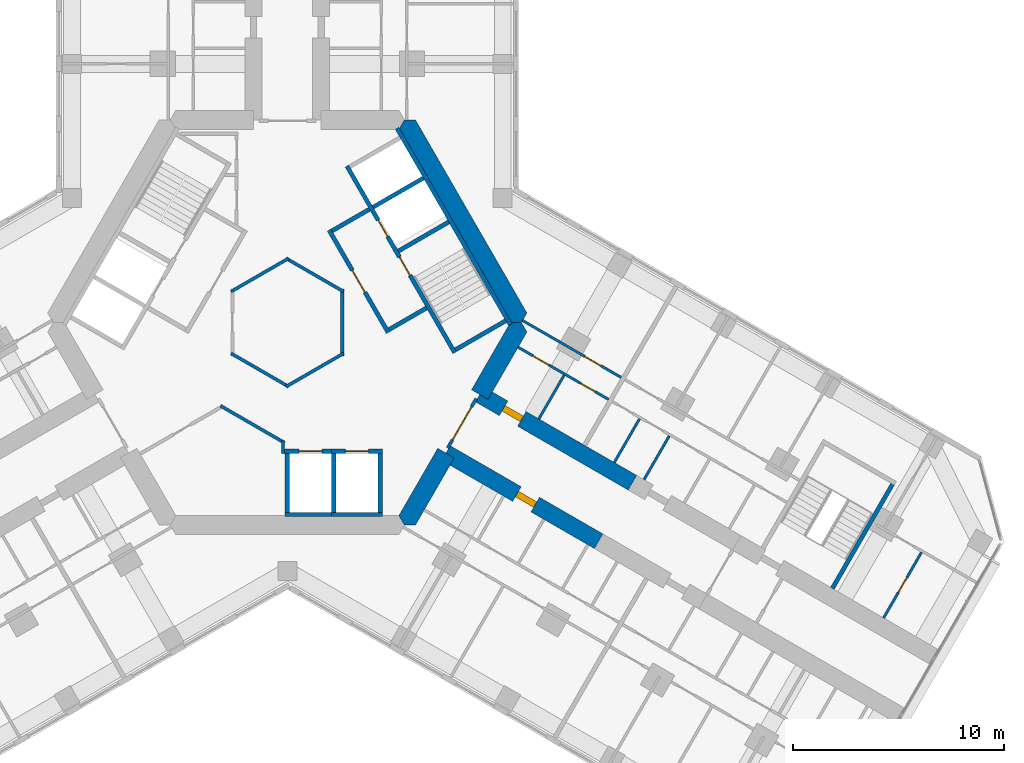
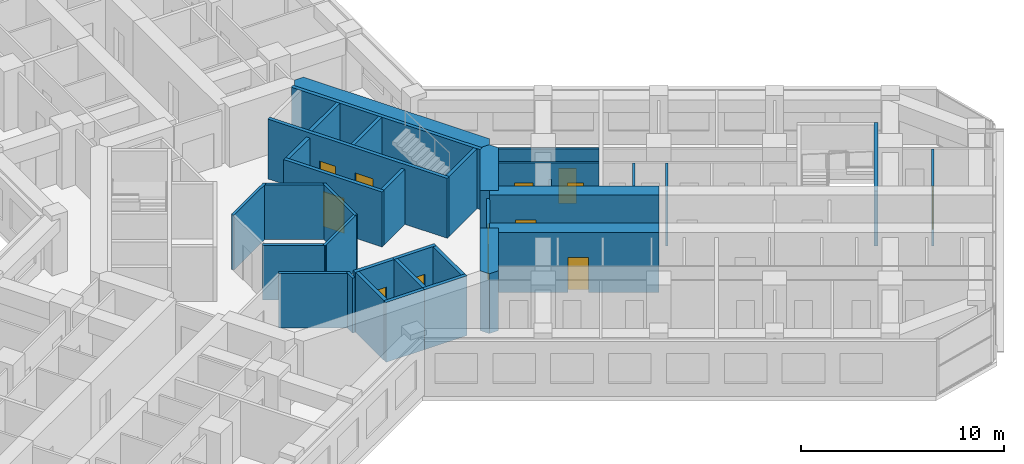
# One storey, part 15 of 20: 35 walls, 12 doors, 12 openings.
"""IFC4 building model written with IfcOpenShell, lengths in metres."""

from ifc_helpers import new_model, si_unit, direction, frame, frame_2d, origin, place, context, subcontext, project, spatial, polyline, rectangle, outline, extrude, material, layer, layer_set, type_object, element, fill, save


model = new_model("IFC4")

# Units and contexts
model_context = context("Model", 3, precision=1e-05, world=origin(), true_north=direction((0.0, 1.0)))
body_context = subcontext(model_context, "Body", "Model", "MODEL_VIEW")
ifc_project = project(units=[si_unit("LENGTHUNIT", "METRE"), si_unit("AREAUNIT", "SQUARE_METRE"), si_unit("VOLUMEUNIT", "CUBIC_METRE"), si_unit("PLANEANGLEUNIT", "RADIAN"), si_unit("MASSUNIT", "GRAM", prefix="KILO")], contexts=[model_context])

# Site, building, storey
site_placement = place(None, origin())
site = spatial("IfcSite", under=ifc_project, at=site_placement, CompositionType="ELEMENT")
building_placement = place(site_placement, origin())
building = spatial("IfcBuilding", under=site, at=building_placement, Name="Kosmar Iwan School Tower", CompositionType="ELEMENT")
storey_placement = place(building_placement, frame((0.0, 0.0, 183.199951171875)))
storey = spatial("IfcBuildingStorey", under=building, at=storey_placement, Name="L46", CompositionType="ELEMENT", Elevation=183.199951171875)

# Walls
ifc_material_1 = material(Name="Gypsum board on steel studs, fire-rated", Category="steel")
ifc_layer_1 = layer(ifc_material_1, 0.14990234375)
ifc_layer_set_1 = layer_set([ifc_layer_1], Name="Core room partition 150")
wall_type_1 = type_object("IfcWallType", Name="Core room partition 150", PredefinedType="PARTITIONING", material=ifc_layer_set_1)
wall_1_placement = place(storey_placement, frame((-3.1650390625, -3.9462890625, 0.0), z_axis=(0.0, 0.0, 1.0), x_axis=(0.866040335699, -0.499974136273, 0.0)))
element("IfcWall", 1, at=wall_1_placement, inside=storey, type_object=wall_type_1, Name="Core room partition L46-CW6", PredefinedType="PARTITIONING", context=body_context, shape_type="SweptSolid", body=[
    extrude(rectangle(XDim=3.498779296875, YDim=0.14990234375, at=frame_2d((1.74951171875, 0.0))), origin(), (0.0, 0.0, 1.0), 3.300048828125),
])
wall_2_placement = place(storey_placement, frame((-0.199951171875, -5.5830078125, 0.0), z_axis=(0.0, 0.0, 1.0), x_axis=(0.0, -1.0, 0.0)))
element("IfcWall", 2, at=wall_2_placement, inside=storey, type_object=wall_type_1, Name="Core room partition L46-CW7", PredefinedType="PARTITIONING", context=body_context, shape_type="SweptSolid", body=[
    extrude(rectangle(XDim=0.616943359375, YDim=0.14990234375, at=frame_2d((0.30859375, 0.0))), origin(), (0.0, 0.0, 1.0), 3.300048828125),
])
for number, where, z_axis, x_axis, name in (
    (3, (2.6650390625, -1.463623046875, 0.0), (0.0, 0.0, 1.0), (-0.866023080072, -0.500004024767, 0.0), "Core room partition L46-CW8"),
    (4, (0.06494140625, -3.039794921875, 0.0), (0.0, 0.0, 1.0), (-0.866023080072, 0.500004024767, 0.0), "Core room partition L46-CW9"),
    (5, (-2.6650390625, 1.463623046875, 0.0), (0.0, 0.0, 1.0), (0.866023080072, 0.500004024767, 0.0), "Core room partition L46-CW11"),
    (6, (-0.06494140625, 3.039794921875, 0.0), (0.0, 0.0, 1.0), (0.866023080072, -0.500004024767, 0.0), "Core room partition L46-CW12"),
    (7, (2.60009765625, 1.576171875, 0.0), (0.0, 0.0, 1.0), (0.0, -1.0, 0.0), "Core room partition L46-CW13"),
):
    element("IfcWall", number, at=place(storey_placement, frame(where, z_axis=z_axis, x_axis=x_axis)), inside=storey, type_object=wall_type_1, Name=name, PredefinedType="PARTITIONING", context=body_context, shape_type="SweptSolid", body=[
        extrude(rectangle(XDim=3.15234375, YDim=0.14990234375, at=frame_2d((1.576171875, 0.0))), origin(), (0.0, 0.0, 1.0), 3.300048828125),
    ])
ifc_material_2 = material(Name="Concrete C50/60", Category="concrete")
ifc_layer_2 = layer(ifc_material_2, 0.89990234375)
ifc_layer_set_2 = layer_set([ifc_layer_2], Name="Core wall 900")
wall_type_2 = type_object("IfcWallType", Name="Core wall 900", PredefinedType="SHEAR", material=ifc_layer_set_2)
wall_3_placement = place(storey_placement, origin())
element("IfcWall", 8, at=wall_3_placement, inside=storey, type_object=wall_type_2, Name="Core wall F030", PredefinedType="SHEAR", context=body_context, shape_type="SweptSolid", body=[
    extrude(outline(polyline([(10.5654296875, 0.0), (11.085205078125, 0.0), (11.344970703125, 0.449951171875), (6.062255859375, 9.60009765625), (5.54248046875, 9.60009765625), (5.28271484375, 9.14990234375), (10.5654296875, 0.0)])), origin(), (0.0, 0.0, 1.0), 3.60009765625),
])
wall_4_placement = place(storey_placement, origin())
element("IfcWall", 9, at=wall_4_placement, inside=storey, type_object=wall_type_2, Name="Core wall F330a", PredefinedType="SHEAR", context=body_context, shape_type="SweptSolid", body=[
    extrude(outline(polyline([(5.54248046875, -9.60009765625), (6.062255859375, -9.60009765625), (7.903564453125, -6.41064453125), (7.1240234375, -5.960693359375), (5.28271484375, -9.14990234375), (5.54248046875, -9.60009765625)])), origin(), (0.0, 0.0, 1.0), 3.60009765625),
])
wall_5_placement = place(storey_placement, origin())
element("IfcWall", 10, at=wall_5_placement, inside=storey, type_object=wall_type_2, Name="Core wall F330b", PredefinedType="SHEAR", context=body_context, shape_type="SweptSolid", body=[
    extrude(outline(polyline([(9.503662109375, -3.639404296875), (11.344970703125, -0.449951171875), (11.085205078125, 0.0), (10.5654296875, 0.0), (8.72412109375, -3.189453125), (9.503662109375, -3.639404296875)])), origin(), (0.0, 0.0, 1.0), 3.60009765625),
])

# Wall, opening, door
ifc_material_3 = material(Name="Concrete C50/60", Category="concrete")
ifc_layer_3 = layer(ifc_material_3, 0.800048828125)
ifc_layer_set_3 = layer_set([ifc_layer_3], Name="Corridor buttress wall 800")
wall_type_3 = type_object("IfcWallType", Name="Corridor buttress wall 800", PredefinedType="SHEAR", material=ifc_layer_set_3)
wall_6_placement = place(storey_placement, frame((9.11376953125, -3.414306640625, 0.0), z_axis=(0.0, 0.0, 1.0), x_axis=(0.866026859388, -0.499997478812, 0.0)))
wall_6 = element("IfcWall", 11, at=wall_6_placement, inside=storey, type_object=wall_type_3, Name="Corridor wall CL", PredefinedType="SHEAR", context=body_context, shape_type="SweptSolid", body=[
    extrude(rectangle(XDim=8.35009765625, YDim=0.800048828125, at=frame_2d((4.175048828125, 0.0))), origin(), (0.0, 0.0, 1.0), 3.60009765625),
])
opening_1_placement = place(wall_6_placement, frame((1.300048828125, 0.0, 0.0)))
opening_1 = element("IfcOpeningElement", 12, at=opening_1_placement, cuts=wall_6, Name="Opening D1", PredefinedType="OPENING", context=body_context, shape_type="SweptSolid", body=[
    extrude(rectangle(XDim=1.0, YDim=2.10009765625, at=frame_2d((0.5, 1.050048828125))), frame((0.0, 0.412109375, 0.0), z_axis=(0.0, -1.0, 0.0), x_axis=(1.0, 0.0, 0.0)), (0.0, 0.0, 1.0), 0.823974609375),
])
ifc_material_4 = material(Name="Timber fire door in steel frame", Category="steel")
door_type_1 = type_object("IfcDoorType", Name="Flat entrance door 1000x2100", OperationType="SINGLE_SWING_LEFT", PredefinedType="DOOR", material=ifc_material_4)
door_1_placement = place(opening_1_placement, origin())
door_1 = element("IfcDoor", 13, at=door_1_placement, inside=storey, type_object=door_type_1, Name="Flat L46-CL1 entrance door", OperationType="SINGLE_SWING_RIGHT", OverallHeight=2.10009765625, OverallWidth=1.0, PredefinedType="DOOR", context=body_context, shape_type="SweptSolid", body=[
    extrude(rectangle(XDim=1.0, YDim=2.10009765625, at=frame_2d((0.5, 1.050048828125))), frame((0.0, 0.14990234375, 0.0), z_axis=(0.0, -1.0, 0.0), x_axis=(1.0, 0.0, 0.0)), (0.0, 0.0, 1.0), 0.300048828125),
])
fill(opening_1, door_1)

wall_7_placement = place(storey_placement, frame((7.513916015625, -6.185546875, 0.0), z_axis=(0.0, 0.0, 1.0), x_axis=(0.866019549707, -0.500010139422, 0.0)))
wall_7 = element("IfcWall", 14, at=wall_7_placement, inside=storey, type_object=wall_type_3, Name="Corridor wall CR", PredefinedType="SHEAR", context=body_context, shape_type="SweptSolid", body=[
    extrude(rectangle(XDim=8.349853515625, YDim=0.800048828125, at=frame_2d((4.1748046875, 0.0))), origin(), (0.0, 0.0, 1.0), 3.60009765625),
])
opening_2_placement = place(wall_7_placement, frame((3.8798828125, 0.0, 0.0)))
opening_2 = element("IfcOpeningElement", 15, at=opening_2_placement, cuts=wall_7, Name="Opening D1", PredefinedType="OPENING", context=body_context, shape_type="SweptSolid", body=[
    extrude(rectangle(XDim=1.0, YDim=2.10009765625, at=frame_2d((0.5, 1.050048828125))), frame((0.0, 0.412109375, 0.0), z_axis=(0.0, -1.0, 0.0), x_axis=(1.0, 0.0, 0.0)), (0.0, 0.0, 1.0), 0.823974609375),
])
door_2_placement = place(opening_2_placement, origin())
door_2 = element("IfcDoor", 16, at=door_2_placement, inside=storey, type_object=door_type_1, Name="Flat L46-CR1 entrance door", OperationType="SINGLE_SWING_RIGHT", OverallHeight=2.10009765625, OverallWidth=1.0, PredefinedType="DOOR", context=body_context, shape_type="SweptSolid", body=[
    extrude(rectangle(XDim=1.0, YDim=2.10009765625, at=frame_2d((0.5, 1.050048828125))), frame((0.0, 0.14990234375, 0.0), z_axis=(0.0, -1.0, 0.0), x_axis=(1.0, 0.0, 0.0)), (0.0, 0.0, 1.0), 0.300048828125),
])
fill(opening_2, door_2)

ifc_material_5 = material(Name="Steel framed glazed screen", Category="steel")
ifc_layer_4 = layer(ifc_material_5, 0.14990234375)
ifc_layer_set_4 = layer_set([ifc_layer_4], Name="Corridor screen wall 150")
wall_type_4 = type_object("IfcWallType", Name="Corridor screen wall 150", PredefinedType="PARTITIONING", material=ifc_layer_set_4)
wall_8_placement = place(storey_placement, frame((7.595458984375, -5.944091796875, 0.0), z_axis=(0.0, 0.0, 1.0), x_axis=(0.500048589285, 0.86599734893, 0.0)))
wall_8 = element("IfcWall", 17, at=wall_8_placement, inside=storey, type_object=wall_type_4, Name="Corridor screen C L46", PredefinedType="PARTITIONING", context=body_context, shape_type="SweptSolid", body=[
    extrude(rectangle(XDim=2.699951171875, YDim=0.14990234375, at=frame_2d((1.35009765625, 0.0))), origin(), (0.0, 0.0, 1.0), 3.300048828125),
])
opening_3_placement = place(wall_8_placement, frame((0.449951171875, 0.0, 0.0)))
opening_3 = element("IfcOpeningElement", 18, at=opening_3_placement, cuts=wall_8, Name="Opening D9", PredefinedType="OPENING", context=body_context, shape_type="SweptSolid", body=[
    extrude(rectangle(XDim=1.800048828125, YDim=2.10009765625, at=frame_2d((0.89990234375, 1.050048828125))), frame((0.0, 0.0869140625, 0.0), z_axis=(0.0, -1.0, 0.0), x_axis=(1.0, 0.0, 0.0)), (0.0, 0.0, 1.0), 0.173828125),
])
ifc_material_6 = material(Name="Steel framed glazed smoke door", Category="steel")
door_type_2 = type_object("IfcDoorType", Name="Corridor smoke door pair 1800x2100", OperationType="DOUBLE_DOOR_DOUBLE_SWING", PredefinedType="DOOR", material=ifc_material_6)
door_3_placement = place(opening_3_placement, origin())
door_3 = element("IfcDoor", 19, at=door_3_placement, inside=storey, type_object=door_type_2, Name="Corridor doors C L46", OperationType="DOUBLE_DOOR_DOUBLE_SWING", OverallHeight=2.10009765625, OverallWidth=1.800048828125, PredefinedType="DOOR", context=body_context, shape_type="SweptSolid", body=[
    extrude(rectangle(XDim=1.800048828125, YDim=2.10009765625, at=frame_2d((0.89990234375, 1.050048828125))), frame((0.0, 0.02490234375, 0.0), z_axis=(0.0, -1.0, 0.0), x_axis=(1.0, 0.0, 0.0)), (0.0, 0.0, 1.0), 0.050048828125),
])
fill(opening_3, door_3)

# Wall, openings, doors
ifc_material_7 = material(Name="Gypsum board on steel studs", Category="steel")
ifc_layer_5 = layer(ifc_material_7, 0.1201171875)
ifc_layer_set_5 = layer_set([ifc_layer_5], Name="Dwelling partition 120")
wall_type_5 = type_object("IfcWallType", Name="Dwelling partition 120", PredefinedType="PARTITIONING", material=ifc_layer_set_5)
wall_9_placement = place(storey_placement, frame((10.928466796875, -1.171142578125, 0.0), z_axis=(0.0, 0.0, 1.0), x_axis=(0.866018855338, -0.500011342071, 0.0)))
wall_9 = element("IfcWall", 20, at=wall_9_placement, inside=storey, type_object=wall_type_5, Name="Partition L46-CL1-W1", PredefinedType="PARTITIONING", context=body_context, shape_type="SweptSolid", body=[
    extrude(rectangle(XDim=4.9501953125, YDim=0.1201171875, at=frame_2d((2.47509765625, 0.0))), origin(), (0.0, 0.0, 1.0), 3.300048828125),
])
opening_4_placement = place(wall_9_placement, frame((0.800048828125, 0.0, 0.0)))
opening_4 = element("IfcOpeningElement", 21, at=opening_4_placement, cuts=wall_9, Name="Opening D2", PredefinedType="OPENING", context=body_context, shape_type="SweptSolid", body=[
    extrude(rectangle(XDim=0.89990234375, YDim=2.10009765625, at=frame_2d((0.449951171875, 1.050048828125))), frame((0.0, 0.072021484375, 0.0), z_axis=(0.0, -1.0, 0.0), x_axis=(1.0, 0.0, 0.0)), (0.0, 0.0, 1.0), 0.14404296875),
])
opening_5_placement = place(wall_9_placement, frame((3.39990234375, 0.0, 0.0)))
opening_5 = element("IfcOpeningElement", 22, at=opening_5_placement, cuts=wall_9, Name="Opening D3", PredefinedType="OPENING", context=body_context, shape_type="SweptSolid", body=[
    extrude(rectangle(XDim=0.800048828125, YDim=2.10009765625, at=frame_2d((0.39990234375, 1.050048828125))), frame((0.0, 0.072021484375, 0.0), z_axis=(0.0, -1.0, 0.0), x_axis=(1.0, 0.0, 0.0)), (0.0, 0.0, 1.0), 0.14404296875),
])
ifc_material_8 = material(Name="Timber door in timber frame", Category="wood")
door_type_3 = type_object("IfcDoorType", Name="Internal door 900x2100", OperationType="SINGLE_SWING_LEFT", PredefinedType="DOOR", material=ifc_material_8)
door_4_placement = place(opening_4_placement, origin())
door_4 = element("IfcDoor", 23, at=door_4_placement, inside=storey, type_object=door_type_3, Name="Entrance hall door L46-CL1-S1", OperationType="SINGLE_SWING_LEFT", OverallHeight=2.10009765625, OverallWidth=0.89990234375, PredefinedType="DOOR", context=body_context, shape_type="SweptSolid", body=[
    extrude(rectangle(XDim=0.89990234375, YDim=2.10009765625, at=frame_2d((0.449951171875, 1.050048828125))), frame((0.0, 0.02490234375, 0.0), z_axis=(0.0, -1.0, 0.0), x_axis=(1.0, 0.0, 0.0)), (0.0, 0.0, 1.0), 0.050048828125),
])
fill(opening_4, door_4)
ifc_material_9 = material(Name="Timber door in timber frame", Category="wood")
door_type_4 = type_object("IfcDoorType", Name="Sanitary room door 800x2100", OperationType="SINGLE_SWING_LEFT", PredefinedType="DOOR", material=ifc_material_9)
door_5_placement = place(opening_5_placement, origin())
door_5 = element("IfcDoor", 24, at=door_5_placement, inside=storey, type_object=door_type_4, Name="Bathroom door L46-CL1-S2", OperationType="SINGLE_SWING_RIGHT", OverallHeight=2.10009765625, OverallWidth=0.800048828125, PredefinedType="DOOR", context=body_context, shape_type="SweptSolid", body=[
    extrude(rectangle(XDim=0.800048828125, YDim=2.10009765625, at=frame_2d((0.39990234375, 1.050048828125))), frame((0.0, 0.02490234375, 0.0), z_axis=(0.0, -1.0, 0.0), x_axis=(1.0, 0.0, 0.0)), (0.0, 0.0, 1.0), 0.050048828125),
])
fill(opening_5, door_5)

# Wall, opening, door
wall_10_placement = place(storey_placement, frame((11.138916015625, 0.093017578125, 0.0), z_axis=(0.0, 0.0, 1.0), x_axis=(0.866028230842, -0.499995103361, 0.0)))
wall_10 = element("IfcWall", 25, at=wall_10_placement, inside=storey, type_object=wall_type_5, Name="Partition L46-CL1-W2", PredefinedType="PARTITIONING", context=body_context, shape_type="SweptSolid", body=[
    extrude(rectangle(XDim=5.39990234375, YDim=0.1201171875, at=frame_2d((2.699951171875, 0.0))), origin(), (0.0, 0.0, 1.0), 3.300048828125),
])
opening_6_placement = place(wall_10_placement, frame((3.39990234375, 0.0, 0.0)))
opening_6 = element("IfcOpeningElement", 26, at=opening_6_placement, cuts=wall_10, Name="Opening D2", PredefinedType="OPENING", context=body_context, shape_type="SweptSolid", body=[
    extrude(rectangle(XDim=0.89990234375, YDim=2.10009765625, at=frame_2d((0.449951171875, 1.050048828125))), frame((0.0, 0.072021484375, 0.0), z_axis=(0.0, -1.0, 0.0), x_axis=(1.0, 0.0, 0.0)), (0.0, 0.0, 1.0), 0.14404296875),
])
door_6_placement = place(opening_6_placement, origin())
door_6 = element("IfcDoor", 27, at=door_6_placement, inside=storey, type_object=door_type_3, Name="Studio living room and kitchen door L46-CL1-F1", OperationType="SINGLE_SWING_RIGHT", OverallHeight=2.10009765625, OverallWidth=0.89990234375, PredefinedType="DOOR", context=body_context, shape_type="SweptSolid", body=[
    extrude(rectangle(XDim=0.89990234375, YDim=2.10009765625, at=frame_2d((0.449951171875, 1.050048828125))), frame((0.0, 0.02490234375, 0.0), z_axis=(0.0, -1.0, 0.0), x_axis=(1.0, 0.0, 0.0)), (0.0, 0.0, 1.0), 0.050048828125),
])
fill(opening_6, door_6)

# Walls
wall_11_placement = place(storey_placement, frame((11.911865234375, -4.56787109375, 0.0), z_axis=(0.0, 0.0, 1.0), x_axis=(0.500017192868, 0.86601547725, 0.0)))
element("IfcWall", 28, at=wall_11_placement, inside=storey, type_object=wall_type_5, Name="Partition L46-CL1-Y1", PredefinedType="PARTITIONING", context=body_context, shape_type="SweptSolid", body=[
    extrude(rectangle(XDim=2.39013671875, YDim=0.1201171875, at=frame_2d((1.195068359375, 0.0))), origin(), (0.0, 0.0, 1.0), 2.300048828125),
])
wall_12_placement = place(storey_placement, frame((15.484375, -6.63037109375, 0.0), z_axis=(0.0, 0.0, 1.0), x_axis=(0.499940577336, 0.866059708757, 0.0)))
element("IfcWall", 29, at=wall_12_placement, inside=storey, type_object=wall_type_5, Name="Partition L46-CL2-Y1", PredefinedType="PARTITIONING", context=body_context, shape_type="SweptSolid", body=[
    extrude(rectangle(XDim=2.389892578125, YDim=0.1201171875, at=frame_2d((1.19482421875, 0.0))), origin(), (0.0, 0.0, 1.0), 3.300048828125),
])
wall_13_placement = place(storey_placement, frame((16.8916015625, -7.44287109375, 0.0), z_axis=(0.0, 0.0, 1.0), x_axis=(0.500017192868, 0.86601547725, 0.0)))
element("IfcWall", 30, at=wall_13_placement, inside=storey, type_object=wall_type_5, Name="Partition L46-CL2-Y2", PredefinedType="PARTITIONING", context=body_context, shape_type="SweptSolid", body=[
    extrude(rectangle(XDim=2.39013671875, YDim=0.1201171875, at=frame_2d((1.195068359375, 0.0))), origin(), (0.0, 0.0, 1.0), 3.300048828125),
])

# Wall, opening, door
wall_14_placement = place(storey_placement, frame((28.236572265625, -13.992919921875, 0.0), z_axis=(0.0, 0.0, 1.0), x_axis=(0.499971658126, 0.866041766355, 0.0)))
wall_14 = element("IfcWall", 31, at=wall_14_placement, inside=storey, type_object=wall_type_5, Name="Partition L46-CL2-TY", PredefinedType="PARTITIONING", context=body_context, shape_type="SweptSolid", body=[
    extrude(rectangle(XDim=3.590087890625, YDim=0.1201171875, at=frame_2d((1.794921875, 0.0))), origin(), (0.0, 0.0, 1.0), 3.300048828125),
])
opening_7_placement = place(wall_14_placement, frame((1.39501953125, 0.0, 0.0)))
opening_7 = element("IfcOpeningElement", 32, at=opening_7_placement, cuts=wall_14, Name="Opening D3", PredefinedType="OPENING", context=body_context, shape_type="SweptSolid", body=[
    extrude(rectangle(XDim=0.800048828125, YDim=2.10009765625, at=frame_2d((0.39990234375, 1.050048828125))), frame((0.0, 0.072021484375, 0.0), z_axis=(0.0, -1.0, 0.0), x_axis=(1.0, 0.0, 0.0)), (0.0, 0.0, 1.0), 0.14404296875),
])
door_7_placement = place(opening_7_placement, origin())
door_7 = element("IfcDoor", 33, at=door_7_placement, inside=storey, type_object=door_type_4, Name="Shower room door L46-CL2-T4", OperationType="SINGLE_SWING_RIGHT", OverallHeight=2.10009765625, OverallWidth=0.800048828125, PredefinedType="DOOR", context=body_context, shape_type="SweptSolid", body=[
    extrude(rectangle(XDim=0.800048828125, YDim=2.10009765625, at=frame_2d((0.39990234375, 1.050048828125))), frame((0.0, 0.02490234375, 0.0), z_axis=(0.0, -1.0, 0.0), x_axis=(1.0, 0.0, 0.0)), (0.0, 0.0, 1.0), 0.050048828125),
])
fill(opening_7, door_7)

# Wall
ifc_material_10 = material(Name="Concrete C35/45", Category="concrete")
ifc_layer_6 = layer(ifc_material_10, 0.199951171875)
ifc_layer_set_6 = layer_set([ifc_layer_6], Name="Escape stair wall 200")
wall_type_6 = type_object("IfcWallType", Name="Escape stair wall 200", PredefinedType="SHEAR", material=ifc_layer_set_6)
wall_15_placement = place(storey_placement, frame((25.8115234375, -12.593017578125, 0.0), z_axis=(0.0, 0.0, 1.0), x_axis=(0.500019744199, 0.866014004166, 0.0)))
element("IfcWall", 34, at=wall_15_placement, inside=storey, type_object=wall_type_6, Name="Stair WS3 wall", PredefinedType="SHEAR", context=body_context, shape_type="SweptSolid", body=[
    extrude(rectangle(XDim=5.900146484375, YDim=0.199951171875, at=frame_2d((2.9501953125, 0.0))), origin(), (0.0, 0.0, 1.0), 3.280029296875),
])

# Wall, opening, door
ifc_material_11 = material(Name="Concrete block masonry", Category="masonry")
ifc_layer_7 = layer(ifc_material_11, 0.199951171875)
ifc_layer_set_7 = layer_set([ifc_layer_7], Name="Fire lobby wall 200")
wall_type_7 = type_object("IfcWallType", Name="Fire lobby wall 200", PredefinedType="PARTITIONING", material=ifc_layer_set_7)
wall_16_placement = place(storey_placement, frame((4.777587890625, -0.474853515625, 0.0), z_axis=(0.0, 0.0, 1.0), x_axis=(-0.500016814911, 0.866015695474, 0.0)))
wall_16 = element("IfcWall", 35, at=wall_16_placement, inside=storey, type_object=wall_type_7, Name="Firefighting lobby wall ST1", PredefinedType="PARTITIONING", context=body_context, shape_type="SweptSolid", body=[
    extrude(rectangle(XDim=5.599853515625, YDim=0.199951171875, at=frame_2d((2.7998046875, 0.0))), origin(), (0.0, 0.0, 1.0), 3.300048828125),
])
opening_8_placement = place(wall_16_placement, frame((2.199951171875, 0.0, 0.0)))
opening_8 = element("IfcOpeningElement", 36, at=opening_8_placement, cuts=wall_16, Name="Opening D7", PredefinedType="OPENING", context=body_context, shape_type="SweptSolid", body=[
    extrude(rectangle(XDim=1.199951171875, YDim=2.10009765625, at=frame_2d((0.60009765625, 1.050048828125))), frame((0.0, 0.112060546875, 0.0), z_axis=(0.0, -1.0, 0.0), x_axis=(1.0, 0.0, 0.0)), (0.0, 0.0, 1.0), 0.223876953125),
])
ifc_material_12 = material(Name="Steel fire door", Category="steel")
door_type_5 = type_object("IfcDoorType", Name="Fire lobby door 1200x2100", OperationType="SINGLE_SWING_LEFT", PredefinedType="DOOR", material=ifc_material_12)
door_8_placement = place(opening_8_placement, frame((1.199951171875, 0.0, 0.0), z_axis=(0.0, 0.0, 1.0), x_axis=(-1.0, 0.0, 0.0)))
door_8 = element("IfcDoor", 37, at=door_8_placement, inside=storey, type_object=door_type_5, Name="Firefighting lobby door ST1 L46", OperationType="SINGLE_SWING_RIGHT", OverallHeight=2.10009765625, OverallWidth=1.199951171875, PredefinedType="DOOR", context=body_context, shape_type="SweptSolid", body=[
    extrude(rectangle(XDim=1.199951171875, YDim=2.10009765625, at=frame_2d((0.60009765625, 1.050048828125))), frame((0.0, 0.02490234375, 0.0), z_axis=(0.0, -1.0, 0.0), x_axis=(1.0, 0.0, 0.0)), (0.0, 0.0, 1.0), 0.050048828125),
])
fill(opening_8, door_8)

# Walls
wall_17_placement = place(storey_placement, frame((4.814208984375, -0.33837890625, 0.0), z_axis=(0.0, 0.0, 1.0), x_axis=(0.865969381856, 0.500097020274, 0.0)))
element("IfcWall", 38, at=wall_17_placement, inside=storey, type_object=wall_type_7, Name="Firefighting lobby wall ST1", PredefinedType="PARTITIONING", context=body_context, shape_type="SweptSolid", body=[
    extrude(rectangle(XDim=2.0498046875, YDim=0.199951171875, at=frame_2d((1.02490234375, 0.0))), origin(), (0.0, 0.0, 1.0), 3.300048828125),
])
wall_18_placement = place(storey_placement, frame((2.114013671875, 4.33837890625, 0.0), z_axis=(0.0, 0.0, 1.0), x_axis=(0.866050731258, 0.499956128963, 0.0)))
element("IfcWall", 39, at=wall_18_placement, inside=storey, type_object=wall_type_7, Name="Firefighting lobby wall ST1", PredefinedType="PARTITIONING", context=body_context, shape_type="SweptSolid", body=[
    extrude(rectangle(XDim=2.050048828125, YDim=0.199951171875, at=frame_2d((1.02490234375, 0.0))), origin(), (0.0, 0.0, 1.0), 3.300048828125),
])

# Wall, openings, doors
ifc_material_13 = material(Name="Concrete C50/60", Category="concrete")
ifc_layer_8 = layer(ifc_material_13, 0.199951171875)
ifc_layer_set_8 = layer_set([ifc_layer_8], Name="Lift shaft wall 200")
wall_type_8 = type_object("IfcWallType", Name="Lift shaft wall 200", PredefinedType="SHEAR", material=ifc_layer_set_8)
wall_19_placement = place(storey_placement, frame((7.926025390625, -1.42822265625, 0.0), z_axis=(0.0, 0.0, 1.0), x_axis=(-0.499998023675, 0.866026544813, 0.0)))
wall_19 = element("IfcWall", 40, at=wall_19_placement, inside=storey, type_object=wall_type_8, Name="Lift and stair front wall AC", PredefinedType="SHEAR", context=body_context, shape_type="SweptSolid", body=[
    extrude(rectangle(XDim=10.19970703125, YDim=0.199951171875, at=frame_2d((5.099853515625, 0.0))), origin(), (0.0, 0.0, 1.0), 3.60009765625),
])
opening_9_placement = place(wall_19_placement, frame((6.35009765625, 0.0, 0.0)))
opening_9 = element("IfcOpeningElement", 41, at=opening_9_placement, cuts=wall_19, Name="Opening LD2", PredefinedType="OPENING", context=body_context, shape_type="SweptSolid", body=[
    extrude(rectangle(XDim=0.89990234375, YDim=2.10009765625, at=frame_2d((0.449951171875, 1.050048828125))), frame((0.0, 0.112060546875, 0.0), z_axis=(0.0, -1.0, 0.0), x_axis=(1.0, 0.0, 0.0)), (0.0, 0.0, 1.0), 0.223876953125),
])
opening_10_placement = place(wall_19_placement, frame((4.22998046875, 0.0, 0.0)))
opening_10 = element("IfcOpeningElement", 42, at=opening_10_placement, cuts=wall_19, Name="Opening D6", PredefinedType="OPENING", context=body_context, shape_type="SweptSolid", body=[
    extrude(rectangle(XDim=1.0, YDim=2.10009765625, at=frame_2d((0.5, 1.050048828125))), frame((0.0, 0.112060546875, 0.0), z_axis=(0.0, -1.0, 0.0), x_axis=(1.0, 0.0, 0.0)), (0.0, 0.0, 1.0), 0.223876953125),
])
ifc_material_14 = material(Name="Stainless steel sliding lift door", Category="steel")
door_type_6 = type_object("IfcDoorType", Name="Firefighting lift landing door 900x2100", OperationType="SLIDING_TO_LEFT", PredefinedType="DOOR", material=ifc_material_14)
door_9_placement = place(opening_9_placement, origin())
door_9 = element("IfcDoor", 43, at=door_9_placement, inside=storey, type_object=door_type_6, Name="Lift FF1 landing door L46", OperationType="SLIDING_TO_LEFT", OverallHeight=2.10009765625, OverallWidth=0.89990234375, PredefinedType="DOOR", context=body_context, shape_type="SweptSolid", body=[
    extrude(rectangle(XDim=0.89990234375, YDim=2.10009765625, at=frame_2d((0.449951171875, 1.050048828125))), frame((0.0, 0.02490234375, 0.0), z_axis=(0.0, -1.0, 0.0), x_axis=(1.0, 0.0, 0.0)), (0.0, 0.0, 1.0), 0.050048828125),
])
fill(opening_9, door_9)
ifc_material_15 = material(Name="Steel fire door", Category="steel")
door_type_7 = type_object("IfcDoorType", Name="Stair door 1000x2100", OperationType="SINGLE_SWING_LEFT", PredefinedType="DOOR", material=ifc_material_15)
door_10_placement = place(opening_10_placement, origin())
door_10 = element("IfcDoor", 44, at=door_10_placement, inside=storey, type_object=door_type_7, Name="Stair ST1 door L46", OperationType="SINGLE_SWING_LEFT", OverallHeight=2.10009765625, OverallWidth=1.0, PredefinedType="DOOR", context=body_context, shape_type="SweptSolid", body=[
    extrude(rectangle(XDim=1.0, YDim=2.10009765625, at=frame_2d((0.5, 1.050048828125))), frame((0.0, 0.02490234375, 0.0), z_axis=(0.0, -1.0, 0.0), x_axis=(1.0, 0.0, 0.0)), (0.0, 0.0, 1.0), 0.050048828125),
])
fill(opening_10, door_10)

# Walls
wall_20_placement = place(storey_placement, frame((10.5654296875, -0.10009765625, 0.0), z_axis=(0.0, 0.0, 1.0), x_axis=(-0.499999935134, 0.866025441235, 0.0)))
element("IfcWall", 45, at=wall_20_placement, inside=storey, type_object=wall_type_8, Name="Lift and stair back wall AC", PredefinedType="SHEAR", context=body_context, shape_type="SweptSolid", body=[
    extrude(rectangle(XDim=10.73876953125, YDim=0.199951171875, at=frame_2d((5.369384765625, 0.0))), origin(), (0.0, 0.0, 1.0), 3.60009765625),
])
wall_21_placement = place(storey_placement, frame((4.062744140625, 5.46337890625, 0.0), z_axis=(0.0, 0.0, 1.0), x_axis=(0.866027397988, 0.499996545922, 0.0)))
element("IfcWall", 46, at=wall_21_placement, inside=storey, type_object=wall_type_8, Name="Lift shaft wall AC 1", PredefinedType="SHEAR", context=body_context, shape_type="SweptSolid", body=[
    extrude(rectangle(XDim=2.75, YDim=0.199951171875, at=frame_2d((1.375, 0.0))), origin(), (0.0, 0.0, 1.0), 3.60009765625),
])

# Wall, opening, door
wall_22_placement = place(storey_placement, frame((-0.125, -6.10009765625, 0.0), z_axis=(0.0, 0.0, 1.0), x_axis=(1.0, 0.0, 0.0)))
wall_22 = element("IfcWall", 47, at=wall_22_placement, inside=storey, type_object=wall_type_8, Name="Lift and stair front wall BC", PredefinedType="SHEAR", context=body_context, shape_type="SweptSolid", body=[
    extrude(rectangle(XDim=2.22509765625, YDim=0.199951171875, at=frame_2d((1.112548828125, 0.0))), origin(), (0.0, 0.0, 1.0), 3.60009765625),
])
opening_11_placement = place(wall_22_placement, frame((0.675048828125, 0.0, 0.0)))
opening_11 = element("IfcOpeningElement", 48, at=opening_11_placement, cuts=wall_22, Name="Opening LD1", PredefinedType="OPENING", context=body_context, shape_type="SweptSolid", body=[
    extrude(rectangle(XDim=1.10009765625, YDim=2.10009765625, at=frame_2d((0.550048828125, 1.050048828125))), frame((0.0, 0.112060546875, 0.0), z_axis=(0.0, -1.0, 0.0), x_axis=(1.0, 0.0, 0.0)), (0.0, 0.0, 1.0), 0.223876953125),
])
ifc_material_16 = material(Name="Stainless steel sliding lift door", Category="steel")
door_type_8 = type_object("IfcDoorType", Name="Lift landing door 1100x2100", OperationType="SLIDING_TO_LEFT", PredefinedType="DOOR", material=ifc_material_16)
door_11_placement = place(opening_11_placement, origin())
door_11 = element("IfcDoor", 49, at=door_11_placement, inside=storey, type_object=door_type_8, Name="Lift PL3 landing door L46", OperationType="SLIDING_TO_LEFT", OverallHeight=2.10009765625, OverallWidth=1.10009765625, PredefinedType="DOOR", context=body_context, shape_type="SweptSolid", body=[
    extrude(rectangle(XDim=1.10009765625, YDim=2.10009765625, at=frame_2d((0.550048828125, 1.050048828125))), frame((0.0, 0.02490234375, 0.0), z_axis=(0.0, -1.0, 0.0), x_axis=(1.0, 0.0, 0.0)), (0.0, 0.0, 1.0), 0.050048828125),
])
fill(opening_11, door_11)

# Wall
wall_23_placement = place(storey_placement, frame((-0.10009765625, -9.10009765625, 0.0), z_axis=(0.0, 0.0, 1.0), x_axis=(1.0, 0.0, 0.0)))
element("IfcWall", 50, at=wall_23_placement, inside=storey, type_object=wall_type_8, Name="Lift and stair back wall BC", PredefinedType="SHEAR", context=body_context, shape_type="SweptSolid", body=[
    extrude(rectangle(XDim=2.2001953125, YDim=0.199951171875, at=frame_2d((1.10009765625, 0.0))), origin(), (0.0, 0.0, 1.0), 3.60009765625),
])

# Wall, opening, door
wall_24_placement = place(storey_placement, frame((2.10009765625, -6.10009765625, 0.0), z_axis=(0.0, 0.0, 1.0), x_axis=(1.0, 0.0, 0.0)))
wall_24 = element("IfcWall", 51, at=wall_24_placement, inside=storey, type_object=wall_type_8, Name="Lift and stair front wall BC", PredefinedType="SHEAR", context=body_context, shape_type="SweptSolid", body=[
    extrude(rectangle(XDim=2.39990234375, YDim=0.199951171875, at=frame_2d((1.199951171875, 0.0))), origin(), (0.0, 0.0, 1.0), 3.60009765625),
])
opening_12_placement = place(wall_24_placement, frame((0.64990234375, 0.0, 0.0)))
opening_12 = element("IfcOpeningElement", 52, at=opening_12_placement, cuts=wall_24, Name="Opening LD1", PredefinedType="OPENING", context=body_context, shape_type="SweptSolid", body=[
    extrude(rectangle(XDim=1.10009765625, YDim=2.10009765625, at=frame_2d((0.550048828125, 1.050048828125))), frame((0.0, 0.112060546875, 0.0), z_axis=(0.0, -1.0, 0.0), x_axis=(1.0, 0.0, 0.0)), (0.0, 0.0, 1.0), 0.223876953125),
])
door_12_placement = place(opening_12_placement, origin())
door_12 = element("IfcDoor", 53, at=door_12_placement, inside=storey, type_object=door_type_8, Name="Lift PL4 landing door L46", OperationType="SLIDING_TO_LEFT", OverallHeight=2.10009765625, OverallWidth=1.10009765625, PredefinedType="DOOR", context=body_context, shape_type="SweptSolid", body=[
    extrude(rectangle(XDim=1.10009765625, YDim=2.10009765625, at=frame_2d((0.550048828125, 1.050048828125))), frame((0.0, 0.02490234375, 0.0), z_axis=(0.0, -1.0, 0.0), x_axis=(1.0, 0.0, 0.0)), (0.0, 0.0, 1.0), 0.050048828125),
])
fill(opening_12, door_12)

# Walls
wall_25_placement = place(storey_placement, frame((2.10009765625, -9.10009765625, 0.0), z_axis=(0.0, 0.0, 1.0), x_axis=(1.0, 0.0, 0.0)))
element("IfcWall", 54, at=wall_25_placement, inside=storey, type_object=wall_type_8, Name="Lift and stair back wall BC", PredefinedType="SHEAR", context=body_context, shape_type="SweptSolid", body=[
    extrude(rectangle(XDim=2.39990234375, YDim=0.199951171875, at=frame_2d((1.199951171875, 0.0))), origin(), (0.0, 0.0, 1.0), 3.60009765625),
])
for number, where, z_axis, x_axis, name in (
    (55, (0.0, -6.199951171875, 0.0), (0.0, 0.0, 1.0), (0.0, -1.0, 0.0), "Lift shaft wall BC 0"),
    (56, (2.199951171875, -6.199951171875, 0.0), (0.0, 0.0, 1.0), (0.0, -1.0, 0.0), "Lift shaft wall BC 1"),
    (57, (4.39990234375, -6.199951171875, 0.0), (0.0, 0.0, 1.0), (0.0, -1.0, 0.0), "Lift shaft wall BC 2"),
):
    element("IfcWall", number, at=place(storey_placement, frame(where, z_axis=z_axis, x_axis=x_axis)), inside=storey, type_object=wall_type_8, Name=name, PredefinedType="SHEAR", context=body_context, shape_type="SweptSolid", body=[
        extrude(rectangle(XDim=2.800048828125, YDim=0.199951171875, at=frame_2d((1.39990234375, 0.0))), origin(), (0.0, 0.0, 1.0), 3.60009765625),
    ])
ifc_material_17 = material(Name="Concrete C50/60", Category="concrete")
ifc_layer_9 = layer(ifc_material_17, 0.199951171875)
ifc_layer_set_9 = layer_set([ifc_layer_9], Name="Stair enclosure wall 200")
wall_type_9 = type_object("IfcWallType", Name="Stair enclosure wall 200", PredefinedType="SHEAR", material=ifc_layer_set_9)
for number, where, z_axis, x_axis, name in (
    (58, (7.962646484375, -1.291748046875, 0.0), (0.0, 0.0, 1.0), (0.866027397988, 0.499996545922, 0.0), "Stair ST1 wall"),
    (59, (5.2626953125, 3.384765625, 0.0), (0.0, 0.0, 1.0), (0.866027397988, 0.499996545922, 0.0), "Stair ST1 wall"),
):
    element("IfcWall", number, at=place(storey_placement, frame(where, z_axis=z_axis, x_axis=x_axis)), inside=storey, type_object=wall_type_9, Name=name, PredefinedType="SHEAR", context=body_context, shape_type="SweptSolid", body=[
        extrude(rectangle(XDim=2.75, YDim=0.199951171875, at=frame_2d((1.375, 0.0))), origin(), (0.0, 0.0, 1.0), 3.60009765625),
    ])

save(model, "model.ifc")
